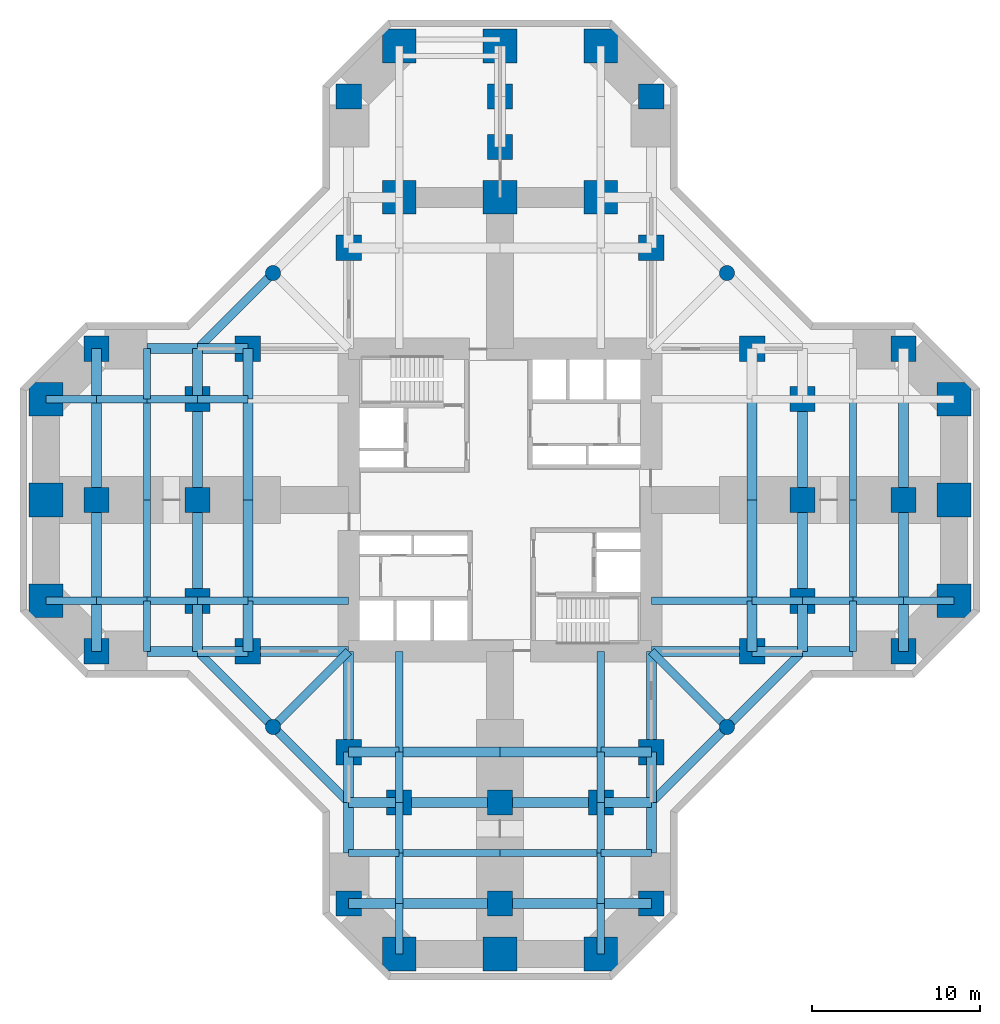
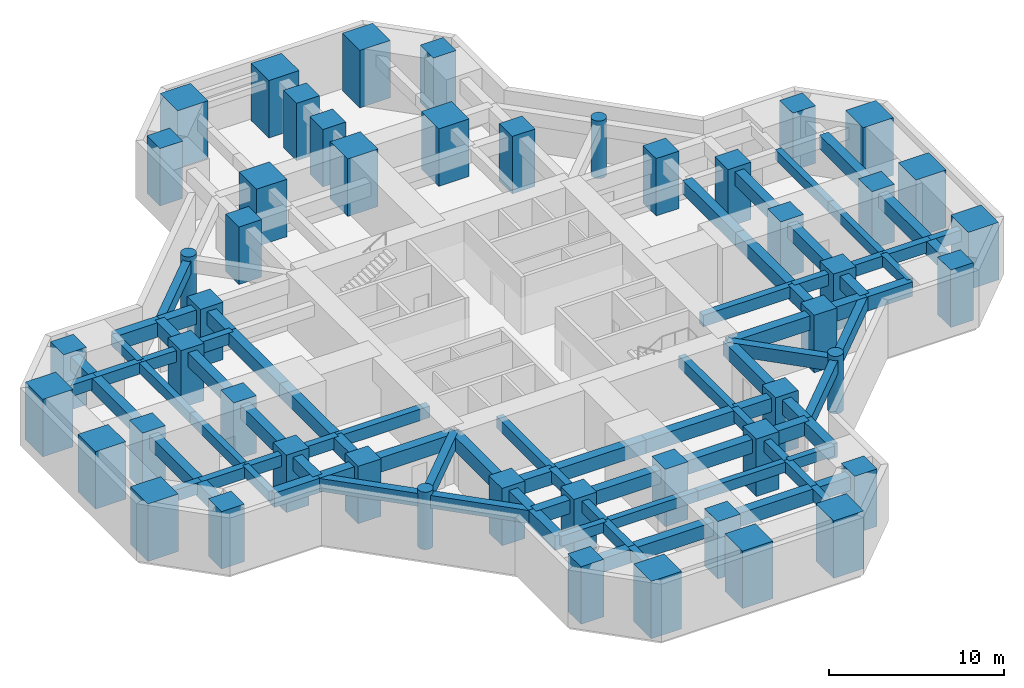
# One storey, part 1 of 6: 89 beams, 49 columns.
"""IFC4 building model written with IfcOpenShell, lengths in metres."""

from ifc_helpers import new_model, si_unit, direction, frame, origin, origin_2d, place, context, subcontext, project, spatial, rectangle, circle, extrude, material, material_profile, profile_set, type_object, element, save


model = new_model("IFC4")

# Units and contexts
model_context = context("Model", 3, precision=1e-05, world=origin(), true_north=direction((0.0, 1.0)))
body_context = subcontext(model_context, "Body", "Model", "MODEL_VIEW")
ifc_project = project(units=[si_unit("LENGTHUNIT", "METRE"), si_unit("AREAUNIT", "SQUARE_METRE"), si_unit("VOLUMEUNIT", "CUBIC_METRE"), si_unit("PLANEANGLEUNIT", "RADIAN"), si_unit("MASSUNIT", "GRAM", prefix="KILO")], contexts=[model_context])

# Site, building, storey
site_placement = place(None, origin())
site = spatial("IfcSite", under=ifc_project, at=site_placement, CompositionType="ELEMENT")
building_placement = place(site_placement, origin())
building = spatial("IfcBuilding", under=site, at=building_placement, Name="Torre Cruceta", CompositionType="ELEMENT")
storey_placement = place(building_placement, frame((0.0, 0.0, -4.0)))
storey = spatial("IfcBuildingStorey", under=building, at=storey_placement, Name="B01", CompositionType="ELEMENT", Elevation=-4.0)

# Columns
ifc_material_1 = material(Name="Concrete G60 (fck 60 MPa)", Category="concrete")
ifc_material_profile_1 = material_profile(ifc_material_1, rectangle(XDim=1.5, YDim=1.5, at=origin_2d()), Name="RC 1500X1500")
ifc_profile_set_1 = profile_set([ifc_material_profile_1], Name="Concrete G60 (fck 60 MPa)")
column_type_1 = type_object("IfcColumnType", Name="COLUMN RC 1500X1500", PredefinedType="COLUMN", material=ifc_profile_set_1)
for number, where, z_axis, x_axis, name in (
    (1, (9.0, 15.0, 0.0), (0.0, 0.0, 1.0), (1.0, 0.0, 0.0), "C0 B01 N side"),
    (2, (9.0, 24.0, 0.0), (0.0, 0.0, 1.0), (1.0, 0.0, 0.0), "C0 B01 N chamfer"),
    (3, (-9.0, 15.0, 0.0), (0.0, 0.0, 1.0), (1.0, 0.0, 0.0), "C0 B01 N side"),
    (4, (-9.0, 24.0, 0.0), (0.0, 0.0, 1.0), (1.0, 0.0, 0.0), "C0 B01 N chamfer"),
    (5, (15.0, -9.0, 0.0), (0.0, 0.0, 1.0), (1.0, 0.0, 0.0), "C0 B01 E side"),
    (6, (24.0, -9.0, 0.0), (0.0, 0.0, 1.0), (1.0, 0.0, 0.0), "C0 B01 E chamfer"),
    (7, (15.0, 9.0, 0.0), (0.0, 0.0, 1.0), (1.0, 0.0, 0.0), "C0 B01 E side"),
    (8, (24.0, 9.0, 0.0), (0.0, 0.0, 1.0), (1.0, 0.0, 0.0), "C0 B01 E chamfer"),
    (9, (-9.0, -15.0, 0.0), (0.0, 0.0, 1.0), (1.0, 0.0, 0.0), "C0 B01 S side"),
    (10, (-9.0, -24.0, 0.0), (0.0, 0.0, 1.0), (1.0, 0.0, 0.0), "C0 B01 S chamfer"),
    (11, (9.0, -15.0, 0.0), (0.0, 0.0, 1.0), (1.0, 0.0, 0.0), "C0 B01 S side"),
    (12, (9.0, -24.0, 0.0), (0.0, 0.0, 1.0), (1.0, 0.0, 0.0), "C0 B01 S chamfer"),
    (13, (-15.0, 9.0, 0.0), (0.0, 0.0, 1.0), (1.0, 0.0, 0.0), "C0 B01 W side"),
    (14, (-24.0, 9.0, 0.0), (0.0, 0.0, 1.0), (1.0, 0.0, 0.0), "C0 B01 W chamfer"),
    (15, (-15.0, -9.0, 0.0), (0.0, 0.0, 1.0), (1.0, 0.0, 0.0), "C0 B01 W side"),
    (16, (-24.0, -9.0, 0.0), (0.0, 0.0, 1.0), (1.0, 0.0, 0.0), "C0 B01 W chamfer"),
    (17, (0.0, 21.0, 0.0), (0.0, 0.0, 1.0), (1.0, 0.0, 0.0), "C0 B01 N interior"),
    (18, (0.0, 24.0, 0.0), (0.0, 0.0, 1.0), (1.0, 0.0, 0.0), "C0 B01 N interior"),
    (19, (18.0, -6.0, 0.0), (0.0, 0.0, 1.0), (1.0, 0.0, 0.0), "C0 B01 E interior"),
    (20, (18.0, 0.0, 0.0), (0.0, 0.0, 1.0), (1.0, 0.0, 0.0), "C0 B01 E interior"),
    (21, (18.0, 6.0, 0.0), (0.0, 0.0, 1.0), (1.0, 0.0, 0.0), "C0 B01 E interior"),
    (22, (24.0, 0.0, 0.0), (0.0, 0.0, 1.0), (1.0, 0.0, 0.0), "C0 B01 E interior"),
    (23, (-6.0, -18.0, 0.0), (0.0, 0.0, 1.0), (1.0, 0.0, 0.0), "C0 B01 S interior"),
    (24, (0.0, -18.0, 0.0), (0.0, 0.0, 1.0), (1.0, 0.0, 0.0), "C0 B01 S interior"),
    (25, (6.0, -18.0, 0.0), (0.0, 0.0, 1.0), (1.0, 0.0, 0.0), "C0 B01 S interior"),
    (26, (0.0, -24.0, 0.0), (0.0, 0.0, 1.0), (1.0, 0.0, 0.0), "C0 B01 S interior"),
    (27, (-18.0, 6.0, 0.0), (0.0, 0.0, 1.0), (1.0, 0.0, 0.0), "C0 B01 W interior"),
    (28, (-18.0, 0.0, 0.0), (0.0, 0.0, 1.0), (1.0, 0.0, 0.0), "C0 B01 W interior"),
    (29, (-18.0, -6.0, 0.0), (0.0, 0.0, 1.0), (1.0, 0.0, 0.0), "C0 B01 W interior"),
    (30, (-24.0, 0.0, 0.0), (0.0, 0.0, 1.0), (1.0, 0.0, 0.0), "C0 B01 W interior"),
):
    element("IfcColumn", number, at=place(storey_placement, frame(where, z_axis=z_axis, x_axis=x_axis)), inside=storey, type_object=column_type_1, Name=name, PredefinedType="COLUMN", context=body_context, shape_type="SweptSolid", body=[
        extrude(rectangle(XDim=1.5, YDim=1.5, at=origin_2d()), origin(), (0.0, 0.0, 1.0), 4.0),
    ])
ifc_material_2 = material(Name="Concrete G60 (fck 60 MPa)", Category="concrete")
ifc_material_profile_2 = material_profile(ifc_material_2, rectangle(XDim=2.0, YDim=2.0, at=origin_2d()), Name="RC 2000X2000")
ifc_profile_set_2 = profile_set([ifc_material_profile_2], Name="Concrete G60 (fck 60 MPa)")
column_type_2 = type_object("IfcColumnType", Name="COLUMN RC 2000X2000", PredefinedType="COLUMN", material=ifc_profile_set_2)
for number, where, z_axis, x_axis, name in (
    (31, (6.0, 27.0, 0.0), (0.0, 0.0, 1.0), (1.0, 0.0, 0.0), "CA B01 N tip"),
    (32, (0.0, 27.0, 0.0), (0.0, 0.0, 1.0), (1.0, 0.0, 0.0), "CA B01 N tip"),
    (33, (-6.0, 27.0, 0.0), (0.0, 0.0, 1.0), (1.0, 0.0, 0.0), "CA B01 N tip"),
    (34, (27.0, -6.0, 0.0), (0.0, 0.0, 1.0), (1.0, 0.0, 0.0), "CA B01 E tip"),
    (35, (27.0, 0.0, 0.0), (0.0, 0.0, 1.0), (1.0, 0.0, 0.0), "CA B01 E tip"),
    (36, (27.0, 6.0, 0.0), (0.0, 0.0, 1.0), (1.0, 0.0, 0.0), "CA B01 E tip"),
    (37, (-6.0, -27.0, 0.0), (0.0, 0.0, 1.0), (1.0, 0.0, 0.0), "CA B01 S tip"),
    (38, (0.0, -27.0, 0.0), (0.0, 0.0, 1.0), (1.0, 0.0, 0.0), "CA B01 S tip"),
    (39, (6.0, -27.0, 0.0), (0.0, 0.0, 1.0), (1.0, 0.0, 0.0), "CA B01 S tip"),
    (40, (-27.0, 6.0, 0.0), (0.0, 0.0, 1.0), (1.0, 0.0, 0.0), "CA B01 W tip"),
    (41, (-27.0, 0.0, 0.0), (0.0, 0.0, 1.0), (1.0, 0.0, 0.0), "CA B01 W tip"),
    (42, (-27.0, -6.0, 0.0), (0.0, 0.0, 1.0), (1.0, 0.0, 0.0), "CA B01 W tip"),
    (43, (6.0, 18.0, 0.0), (0.0, 0.0, 1.0), (1.0, 0.0, 0.0), "CA B01 N interior"),
    (44, (0.0, 18.0, 0.0), (0.0, 0.0, 1.0), (1.0, 0.0, 0.0), "CA B01 N interior"),
    (45, (-6.0, 18.0, 0.0), (0.0, 0.0, 1.0), (1.0, 0.0, 0.0), "CA B01 N interior"),
):
    element("IfcColumn", number, at=place(storey_placement, frame(where, z_axis=z_axis, x_axis=x_axis)), inside=storey, type_object=column_type_2, Name=name, PredefinedType="COLUMN", context=body_context, shape_type="SweptSolid", body=[
        extrude(rectangle(XDim=2.0, YDim=2.0, at=origin_2d()), origin(), (0.0, 0.0, 1.0), 4.0),
    ])
ifc_material_3 = material(Name="Concrete G60 (fck 60 MPa)", Category="concrete")
ifc_material_profile_3 = material_profile(ifc_material_3, circle(Radius=0.449951171875, at=origin_2d()), Name="RC D900")
ifc_profile_set_3 = profile_set([ifc_material_profile_3], Name="Concrete G60 (fck 60 MPa)")
column_type_3 = type_object("IfcColumnType", Name="COLUMN RC D900", PredefinedType="COLUMN", material=ifc_profile_set_3)
for number, where, z_axis, x_axis, name in (
    (46, (-13.5, 13.5, 0.0), (0.0, 0.0, 1.0), (1.0, 0.0, 0.0), "C9 B01 N wing"),
    (47, (13.5, 13.5, 0.0), (0.0, 0.0, 1.0), (1.0, 0.0, 0.0), "C9 B01 E wing"),
    (48, (13.5, -13.5, 0.0), (0.0, 0.0, 1.0), (1.0, 0.0, 0.0), "C9 B01 S wing"),
    (49, (-13.5, -13.5, 0.0), (0.0, 0.0, 1.0), (1.0, 0.0, 0.0), "C9 B01 W wing"),
):
    element("IfcColumn", number, at=place(storey_placement, frame(where, z_axis=z_axis, x_axis=x_axis)), inside=storey, type_object=column_type_3, Name=name, PredefinedType="COLUMN", context=body_context, shape_type="SweptSolid", body=[
        extrude(circle(Radius=0.449951171875, at=origin_2d()), origin(), (0.0, 0.0, 1.0), 4.0),
    ])

# Beams
ifc_material_4 = material(Name="Concrete G60 (fck 60 MPa)", Category="concrete")
ifc_material_profile_4 = material_profile(ifc_material_4, rectangle(XDim=0.449951171875, YDim=0.800048828125, at=origin_2d()), Name="RC 450X800")
ifc_profile_set_4 = profile_set([ifc_material_profile_4], Name="Concrete G60 (fck 60 MPa)")
beam_type_1 = type_object("IfcBeamType", Name="COLUMN LINE BEAM RC 450X800", PredefinedType="BEAM", material=ifc_profile_set_4)
beam_1_placement = place(storey_placement, frame((9.0, -6.0, 3.300048828125), z_axis=(1.0, 0.0, 0.0), x_axis=(0.0, 1.0, 0.0)))
element("IfcBeam", 50, at=beam_1_placement, inside=storey, type_object=beam_type_1, Name="LB1 B01 E col- 1", PredefinedType="BEAM", context=body_context, shape_type="SweptSolid", body=[
    extrude(rectangle(XDim=0.449951171875, YDim=0.800048828125, at=origin_2d()), origin(), (0.0, 0.0, 1.0), 6.0),
])
for number, where, z_axis, x_axis, name in (
    (51, (15.0, -6.0, 3.300048828125), (1.0, 0.0, 0.0), (0.0, 1.0, 0.0), "LB1 B01 E col- 2"),
    (52, (18.0, -6.0, 3.300048828125), (1.0, 0.0, 0.0), (0.0, 1.0, 0.0), "LB1 B01 E col- 3"),
    (53, (21.0, -6.0, 3.300048828125), (1.0, 0.0, 0.0), (0.0, 1.0, 0.0), "LB1 B01 E col- 4"),
    (54, (24.0, -6.0, 3.300048828125), (1.0, 0.0, 0.0), (0.0, 1.0, 0.0), "LB1 B01 E col- 5"),
):
    element("IfcBeam", number, at=place(storey_placement, frame(where, z_axis=z_axis, x_axis=x_axis)), inside=storey, type_object=beam_type_1, Name=name, PredefinedType="BEAM", context=body_context, shape_type="SweptSolid", body=[
        extrude(rectangle(XDim=0.449951171875, YDim=0.800048828125, at=origin_2d()), origin(), (0.0, 0.0, 1.0), 3.0),
    ])
beam_2_placement = place(storey_placement, frame((-6.0, -9.0, 3.300048828125), z_axis=(0.0, -1.0, 0.0), x_axis=(1.0, 0.0, 0.0)))
element("IfcBeam", 55, at=beam_2_placement, inside=storey, type_object=beam_type_1, Name="LB1 B01 S col- 1", PredefinedType="BEAM", context=body_context, shape_type="SweptSolid", body=[
    extrude(rectangle(XDim=0.449951171875, YDim=0.800048828125, at=origin_2d()), origin(), (0.0, 0.0, 1.0), 6.0),
])
for number, where, z_axis, x_axis, name in (
    (56, (-6.0, -15.0, 3.300048828125), (0.0, -1.0, 0.0), (1.0, 0.0, 0.0), "LB1 B01 S col- 2"),
    (57, (-6.0, -18.0, 3.300048828125), (0.0, -1.0, 0.0), (1.0, 0.0, 0.0), "LB1 B01 S col- 3"),
    (58, (-6.0, -21.0, 3.300048828125), (0.0, -1.0, 0.0), (1.0, 0.0, 0.0), "LB1 B01 S col- 4"),
    (59, (-6.0, -24.0, 3.300048828125), (0.0, -1.0, 0.0), (1.0, 0.0, 0.0), "LB1 B01 S col- 5"),
):
    element("IfcBeam", number, at=place(storey_placement, frame(where, z_axis=z_axis, x_axis=x_axis)), inside=storey, type_object=beam_type_1, Name=name, PredefinedType="BEAM", context=body_context, shape_type="SweptSolid", body=[
        extrude(rectangle(XDim=0.449951171875, YDim=0.800048828125, at=origin_2d()), origin(), (0.0, 0.0, 1.0), 3.0),
    ])
beam_3_placement = place(storey_placement, frame((6.0, -9.0, 3.300048828125), z_axis=(0.0, -1.0, 0.0), x_axis=(1.0, 0.0, 0.0)))
element("IfcBeam", 60, at=beam_3_placement, inside=storey, type_object=beam_type_1, Name="LB1 B01 S col+ 1", PredefinedType="BEAM", context=body_context, shape_type="SweptSolid", body=[
    extrude(rectangle(XDim=0.449951171875, YDim=0.800048828125, at=origin_2d()), origin(), (0.0, 0.0, 1.0), 6.0),
])
for number, where, z_axis, x_axis, name in (
    (61, (6.0, -15.0, 3.300048828125), (0.0, -1.0, 0.0), (1.0, 0.0, 0.0), "LB1 B01 S col+ 2"),
    (62, (6.0, -18.0, 3.300048828125), (0.0, -1.0, 0.0), (1.0, 0.0, 0.0), "LB1 B01 S col+ 3"),
    (63, (6.0, -21.0, 3.300048828125), (0.0, -1.0, 0.0), (1.0, 0.0, 0.0), "LB1 B01 S col+ 4"),
    (64, (6.0, -24.0, 3.300048828125), (0.0, -1.0, 0.0), (1.0, 0.0, 0.0), "LB1 B01 S col+ 5"),
    (65, (-15.0, 6.0, 3.300048828125), (-1.0, 0.0, 0.0), (0.0, -1.0, 0.0), "LB1 B01 W col- 2"),
    (66, (-18.0, 6.0, 3.300048828125), (-1.0, 0.0, 0.0), (0.0, -1.0, 0.0), "LB1 B01 W col- 3"),
    (67, (-21.0, 6.0, 3.300048828125), (-1.0, 0.0, 0.0), (0.0, -1.0, 0.0), "LB1 B01 W col- 4"),
    (68, (-24.0, 6.0, 3.300048828125), (-1.0, 0.0, 0.0), (0.0, -1.0, 0.0), "LB1 B01 W col- 5"),
):
    element("IfcBeam", number, at=place(storey_placement, frame(where, z_axis=z_axis, x_axis=x_axis)), inside=storey, type_object=beam_type_1, Name=name, PredefinedType="BEAM", context=body_context, shape_type="SweptSolid", body=[
        extrude(rectangle(XDim=0.449951171875, YDim=0.800048828125, at=origin_2d()), origin(), (0.0, 0.0, 1.0), 3.0),
    ])
beam_4_placement = place(storey_placement, frame((-9.0, -6.0, 3.300048828125), z_axis=(-1.0, 0.0, 0.0), x_axis=(0.0, -1.0, 0.0)))
element("IfcBeam", 69, at=beam_4_placement, inside=storey, type_object=beam_type_1, Name="LB1 B01 W col+ 1", PredefinedType="BEAM", context=body_context, shape_type="SweptSolid", body=[
    extrude(rectangle(XDim=0.449951171875, YDim=0.800048828125, at=origin_2d()), origin(), (0.0, 0.0, 1.0), 6.0),
])
for number, where, z_axis, x_axis, name in (
    (70, (-15.0, -6.0, 3.300048828125), (-1.0, 0.0, 0.0), (0.0, -1.0, 0.0), "LB1 B01 W col+ 2"),
    (71, (-18.0, -6.0, 3.300048828125), (-1.0, 0.0, 0.0), (0.0, -1.0, 0.0), "LB1 B01 W col+ 3"),
    (72, (-21.0, -6.0, 3.300048828125), (-1.0, 0.0, 0.0), (0.0, -1.0, 0.0), "LB1 B01 W col+ 4"),
    (73, (-24.0, -6.0, 3.300048828125), (-1.0, 0.0, 0.0), (0.0, -1.0, 0.0), "LB1 B01 W col+ 5"),
):
    element("IfcBeam", number, at=place(storey_placement, frame(where, z_axis=z_axis, x_axis=x_axis)), inside=storey, type_object=beam_type_1, Name=name, PredefinedType="BEAM", context=body_context, shape_type="SweptSolid", body=[
        extrude(rectangle(XDim=0.449951171875, YDim=0.800048828125, at=origin_2d()), origin(), (0.0, 0.0, 1.0), 3.0),
    ])
ifc_material_5 = material(Name="Concrete G60 (fck 60 MPa)", Category="concrete")
ifc_material_profile_5 = material_profile(ifc_material_5, rectangle(XDim=0.60009765625, YDim=0.949951171875, at=origin_2d()), Name="RC 600X950")
ifc_profile_set_5 = profile_set([ifc_material_profile_5], Name="Concrete G60 (fck 60 MPa)")
beam_type_2 = type_object("IfcBeamType", Name="CROSS BEAM RC 600X950", PredefinedType="BEAM", material=ifc_profile_set_5)
beam_5_placement = place(storey_placement, frame((15.0, -9.0, 3.22509765625), z_axis=(0.0, 1.0, 0.0), x_axis=(-1.0, 0.0, 0.0)))
element("IfcBeam", 74, at=beam_5_placement, inside=storey, type_object=beam_type_2, Name="GB1 B01 E cross15 1", PredefinedType="BEAM", context=body_context, shape_type="SweptSolid", body=[
    extrude(rectangle(XDim=0.60009765625, YDim=0.949951171875, at=origin_2d()), origin(), (0.0, 0.0, 1.0), 3.0),
])
for number, where, z_axis, x_axis, name in (
    (75, (15.0, -6.0, 3.22509765625), (0.0, 1.0, 0.0), (-1.0, 0.0, 0.0), "GB1 B01 E cross15 2"),
    (76, (15.0, 0.0, 3.22509765625), (0.0, 1.0, 0.0), (-1.0, 0.0, 0.0), "GB1 B01 E cross15 3"),
):
    element("IfcBeam", number, at=place(storey_placement, frame(where, z_axis=z_axis, x_axis=x_axis)), inside=storey, type_object=beam_type_2, Name=name, PredefinedType="BEAM", context=body_context, shape_type="SweptSolid", body=[
        extrude(rectangle(XDim=0.60009765625, YDim=0.949951171875, at=origin_2d()), origin(), (0.0, 0.0, 1.0), 6.0),
    ])
beam_6_placement = place(storey_placement, frame((18.0, -9.0, 3.22509765625), z_axis=(0.0, 1.0, 0.0), x_axis=(-1.0, 0.0, 0.0)))
element("IfcBeam", 77, at=beam_6_placement, inside=storey, type_object=beam_type_2, Name="GB1 B01 E cross18 1", PredefinedType="BEAM", context=body_context, shape_type="SweptSolid", body=[
    extrude(rectangle(XDim=0.60009765625, YDim=0.949951171875, at=origin_2d()), origin(), (0.0, 0.0, 1.0), 3.0),
])
for number, where, z_axis, x_axis, name in (
    (78, (18.0, -6.0, 3.22509765625), (0.0, 1.0, 0.0), (-1.0, 0.0, 0.0), "GB1 B01 E cross18 2"),
    (79, (18.0, 0.0, 3.22509765625), (0.0, 1.0, 0.0), (-1.0, 0.0, 0.0), "GB1 B01 E cross18 3"),
):
    element("IfcBeam", number, at=place(storey_placement, frame(where, z_axis=z_axis, x_axis=x_axis)), inside=storey, type_object=beam_type_2, Name=name, PredefinedType="BEAM", context=body_context, shape_type="SweptSolid", body=[
        extrude(rectangle(XDim=0.60009765625, YDim=0.949951171875, at=origin_2d()), origin(), (0.0, 0.0, 1.0), 6.0),
    ])
beam_7_placement = place(storey_placement, frame((24.0, -9.0, 3.22509765625), z_axis=(0.0, 1.0, 0.0), x_axis=(-1.0, 0.0, 0.0)))
element("IfcBeam", 80, at=beam_7_placement, inside=storey, type_object=beam_type_2, Name="GB1 B01 E cross24 1", PredefinedType="BEAM", context=body_context, shape_type="SweptSolid", body=[
    extrude(rectangle(XDim=0.60009765625, YDim=0.949951171875, at=origin_2d()), origin(), (0.0, 0.0, 1.0), 3.0),
])
for number, where, z_axis, x_axis, name in (
    (81, (24.0, -6.0, 3.22509765625), (0.0, 1.0, 0.0), (-1.0, 0.0, 0.0), "GB1 B01 E cross24 2"),
    (82, (24.0, 0.0, 3.22509765625), (0.0, 1.0, 0.0), (-1.0, 0.0, 0.0), "GB1 B01 E cross24 3"),
):
    element("IfcBeam", number, at=place(storey_placement, frame(where, z_axis=z_axis, x_axis=x_axis)), inside=storey, type_object=beam_type_2, Name=name, PredefinedType="BEAM", context=body_context, shape_type="SweptSolid", body=[
        extrude(rectangle(XDim=0.60009765625, YDim=0.949951171875, at=origin_2d()), origin(), (0.0, 0.0, 1.0), 6.0),
    ])
beam_8_placement = place(storey_placement, frame((-9.0, -15.0, 3.22509765625), z_axis=(1.0, 0.0, 0.0), x_axis=(0.0, 1.0, 0.0)))
element("IfcBeam", 83, at=beam_8_placement, inside=storey, type_object=beam_type_2, Name="GB1 B01 S cross15 1", PredefinedType="BEAM", context=body_context, shape_type="SweptSolid", body=[
    extrude(rectangle(XDim=0.60009765625, YDim=0.949951171875, at=origin_2d()), origin(), (0.0, 0.0, 1.0), 3.0),
])
for number, where, z_axis, x_axis, name in (
    (84, (-6.0, -15.0, 3.22509765625), (1.0, 0.0, 0.0), (0.0, 1.0, 0.0), "GB1 B01 S cross15 2"),
    (85, (0.0, -15.0, 3.22509765625), (1.0, 0.0, 0.0), (0.0, 1.0, 0.0), "GB1 B01 S cross15 3"),
):
    element("IfcBeam", number, at=place(storey_placement, frame(where, z_axis=z_axis, x_axis=x_axis)), inside=storey, type_object=beam_type_2, Name=name, PredefinedType="BEAM", context=body_context, shape_type="SweptSolid", body=[
        extrude(rectangle(XDim=0.60009765625, YDim=0.949951171875, at=origin_2d()), origin(), (0.0, 0.0, 1.0), 6.0),
    ])
for number, where, z_axis, x_axis, name in (
    (86, (6.0, -15.0, 3.22509765625), (1.0, 0.0, 0.0), (0.0, 1.0, 0.0), "GB1 B01 S cross15 4"),
    (87, (-9.0, -18.0, 3.22509765625), (1.0, 0.0, 0.0), (0.0, 1.0, 0.0), "GB1 B01 S cross18 1"),
):
    element("IfcBeam", number, at=place(storey_placement, frame(where, z_axis=z_axis, x_axis=x_axis)), inside=storey, type_object=beam_type_2, Name=name, PredefinedType="BEAM", context=body_context, shape_type="SweptSolid", body=[
        extrude(rectangle(XDim=0.60009765625, YDim=0.949951171875, at=origin_2d()), origin(), (0.0, 0.0, 1.0), 3.0),
    ])
for number, where, z_axis, x_axis, name in (
    (88, (-6.0, -18.0, 3.22509765625), (1.0, 0.0, 0.0), (0.0, 1.0, 0.0), "GB1 B01 S cross18 2"),
    (89, (0.0, -18.0, 3.22509765625), (1.0, 0.0, 0.0), (0.0, 1.0, 0.0), "GB1 B01 S cross18 3"),
):
    element("IfcBeam", number, at=place(storey_placement, frame(where, z_axis=z_axis, x_axis=x_axis)), inside=storey, type_object=beam_type_2, Name=name, PredefinedType="BEAM", context=body_context, shape_type="SweptSolid", body=[
        extrude(rectangle(XDim=0.60009765625, YDim=0.949951171875, at=origin_2d()), origin(), (0.0, 0.0, 1.0), 6.0),
    ])
for number, where, z_axis, x_axis, name in (
    (90, (6.0, -18.0, 3.22509765625), (1.0, 0.0, 0.0), (0.0, 1.0, 0.0), "GB1 B01 S cross18 4"),
    (91, (-9.0, -24.0, 3.22509765625), (1.0, 0.0, 0.0), (0.0, 1.0, 0.0), "GB1 B01 S cross24 1"),
):
    element("IfcBeam", number, at=place(storey_placement, frame(where, z_axis=z_axis, x_axis=x_axis)), inside=storey, type_object=beam_type_2, Name=name, PredefinedType="BEAM", context=body_context, shape_type="SweptSolid", body=[
        extrude(rectangle(XDim=0.60009765625, YDim=0.949951171875, at=origin_2d()), origin(), (0.0, 0.0, 1.0), 3.0),
    ])
for number, where, z_axis, x_axis, name in (
    (92, (-6.0, -24.0, 3.22509765625), (1.0, 0.0, 0.0), (0.0, 1.0, 0.0), "GB1 B01 S cross24 2"),
    (93, (0.0, -24.0, 3.22509765625), (1.0, 0.0, 0.0), (0.0, 1.0, 0.0), "GB1 B01 S cross24 3"),
):
    element("IfcBeam", number, at=place(storey_placement, frame(where, z_axis=z_axis, x_axis=x_axis)), inside=storey, type_object=beam_type_2, Name=name, PredefinedType="BEAM", context=body_context, shape_type="SweptSolid", body=[
        extrude(rectangle(XDim=0.60009765625, YDim=0.949951171875, at=origin_2d()), origin(), (0.0, 0.0, 1.0), 6.0),
    ])
for number, where, z_axis, x_axis, name in (
    (94, (6.0, -24.0, 3.22509765625), (1.0, 0.0, 0.0), (0.0, 1.0, 0.0), "GB1 B01 S cross24 4"),
    (95, (-15.0, 9.0, 3.22509765625), (0.0, -1.0, 0.0), (1.0, 0.0, 0.0), "GB1 B01 W cross15 1"),
):
    element("IfcBeam", number, at=place(storey_placement, frame(where, z_axis=z_axis, x_axis=x_axis)), inside=storey, type_object=beam_type_2, Name=name, PredefinedType="BEAM", context=body_context, shape_type="SweptSolid", body=[
        extrude(rectangle(XDim=0.60009765625, YDim=0.949951171875, at=origin_2d()), origin(), (0.0, 0.0, 1.0), 3.0),
    ])
for number, where, z_axis, x_axis, name in (
    (96, (-15.0, 6.0, 3.22509765625), (0.0, -1.0, 0.0), (1.0, 0.0, 0.0), "GB1 B01 W cross15 2"),
    (97, (-15.0, 0.0, 3.22509765625), (0.0, -1.0, 0.0), (1.0, 0.0, 0.0), "GB1 B01 W cross15 3"),
):
    element("IfcBeam", number, at=place(storey_placement, frame(where, z_axis=z_axis, x_axis=x_axis)), inside=storey, type_object=beam_type_2, Name=name, PredefinedType="BEAM", context=body_context, shape_type="SweptSolid", body=[
        extrude(rectangle(XDim=0.60009765625, YDim=0.949951171875, at=origin_2d()), origin(), (0.0, 0.0, 1.0), 6.0),
    ])
for number, where, z_axis, x_axis, name in (
    (98, (-15.0, -6.0, 3.22509765625), (0.0, -1.0, 0.0), (1.0, 0.0, 0.0), "GB1 B01 W cross15 4"),
    (99, (-18.0, 9.0, 3.22509765625), (0.0, -1.0, 0.0), (1.0, 0.0, 0.0), "GB1 B01 W cross18 1"),
):
    element("IfcBeam", number, at=place(storey_placement, frame(where, z_axis=z_axis, x_axis=x_axis)), inside=storey, type_object=beam_type_2, Name=name, PredefinedType="BEAM", context=body_context, shape_type="SweptSolid", body=[
        extrude(rectangle(XDim=0.60009765625, YDim=0.949951171875, at=origin_2d()), origin(), (0.0, 0.0, 1.0), 3.0),
    ])
for number, where, z_axis, x_axis, name in (
    (100, (-18.0, 6.0, 3.22509765625), (0.0, -1.0, 0.0), (1.0, 0.0, 0.0), "GB1 B01 W cross18 2"),
    (101, (-18.0, 0.0, 3.22509765625), (0.0, -1.0, 0.0), (1.0, 0.0, 0.0), "GB1 B01 W cross18 3"),
):
    element("IfcBeam", number, at=place(storey_placement, frame(where, z_axis=z_axis, x_axis=x_axis)), inside=storey, type_object=beam_type_2, Name=name, PredefinedType="BEAM", context=body_context, shape_type="SweptSolid", body=[
        extrude(rectangle(XDim=0.60009765625, YDim=0.949951171875, at=origin_2d()), origin(), (0.0, 0.0, 1.0), 6.0),
    ])
for number, where, z_axis, x_axis, name in (
    (102, (-18.0, -6.0, 3.22509765625), (0.0, -1.0, 0.0), (1.0, 0.0, 0.0), "GB1 B01 W cross18 4"),
    (103, (-24.0, 9.0, 3.22509765625), (0.0, -1.0, 0.0), (1.0, 0.0, 0.0), "GB1 B01 W cross24 1"),
):
    element("IfcBeam", number, at=place(storey_placement, frame(where, z_axis=z_axis, x_axis=x_axis)), inside=storey, type_object=beam_type_2, Name=name, PredefinedType="BEAM", context=body_context, shape_type="SweptSolid", body=[
        extrude(rectangle(XDim=0.60009765625, YDim=0.949951171875, at=origin_2d()), origin(), (0.0, 0.0, 1.0), 3.0),
    ])
for number, where, z_axis, x_axis, name in (
    (104, (-24.0, 6.0, 3.22509765625), (0.0, -1.0, 0.0), (1.0, 0.0, 0.0), "GB1 B01 W cross24 2"),
    (105, (-24.0, 0.0, 3.22509765625), (0.0, -1.0, 0.0), (1.0, 0.0, 0.0), "GB1 B01 W cross24 3"),
):
    element("IfcBeam", number, at=place(storey_placement, frame(where, z_axis=z_axis, x_axis=x_axis)), inside=storey, type_object=beam_type_2, Name=name, PredefinedType="BEAM", context=body_context, shape_type="SweptSolid", body=[
        extrude(rectangle(XDim=0.60009765625, YDim=0.949951171875, at=origin_2d()), origin(), (0.0, 0.0, 1.0), 6.0),
    ])
beam_9_placement = place(storey_placement, frame((-24.0, -6.0, 3.22509765625), z_axis=(0.0, -1.0, 0.0), x_axis=(1.0, 0.0, 0.0)))
element("IfcBeam", 106, at=beam_9_placement, inside=storey, type_object=beam_type_2, Name="GB1 B01 W cross24 4", PredefinedType="BEAM", context=body_context, shape_type="SweptSolid", body=[
    extrude(rectangle(XDim=0.60009765625, YDim=0.949951171875, at=origin_2d()), origin(), (0.0, 0.0, 1.0), 3.0),
])
ifc_material_6 = material(Name="Concrete G60 (fck 60 MPa)", Category="concrete")
ifc_material_profile_6 = material_profile(ifc_material_6, rectangle(XDim=0.39990234375, YDim=0.699951171875, at=origin_2d()), Name="RC 400X700")
ifc_profile_set_6 = profile_set([ifc_material_profile_6], Name="Concrete G60 (fck 60 MPa)")
beam_type_3 = type_object("IfcBeamType", Name="SECONDARY BEAM RC 400X700", PredefinedType="JOIST", material=ifc_profile_set_6)
beam_10_placement = place(storey_placement, frame((21.0, -9.0, 3.35009765625), z_axis=(0.0, 1.0, 0.0), x_axis=(-1.0, 0.0, 0.0)))
element("IfcBeam", 107, at=beam_10_placement, inside=storey, type_object=beam_type_3, Name="JB1 B01 E sec21 1", PredefinedType="JOIST", context=body_context, shape_type="SweptSolid", body=[
    extrude(rectangle(XDim=0.39990234375, YDim=0.699951171875, at=origin_2d()), origin(), (0.0, 0.0, 1.0), 3.0),
])
for number, where, z_axis, x_axis, name in (
    (108, (21.0, -6.0, 3.35009765625), (0.0, 1.0, 0.0), (-1.0, 0.0, 0.0), "JB1 B01 E sec21 2"),
    (109, (21.0, 0.0, 3.35009765625), (0.0, 1.0, 0.0), (-1.0, 0.0, 0.0), "JB1 B01 E sec21 3"),
):
    element("IfcBeam", number, at=place(storey_placement, frame(where, z_axis=z_axis, x_axis=x_axis)), inside=storey, type_object=beam_type_3, Name=name, PredefinedType="JOIST", context=body_context, shape_type="SweptSolid", body=[
        extrude(rectangle(XDim=0.39990234375, YDim=0.699951171875, at=origin_2d()), origin(), (0.0, 0.0, 1.0), 6.0),
    ])
beam_11_placement = place(storey_placement, frame((-9.0, -21.0, 3.35009765625), z_axis=(1.0, 0.0, 0.0), x_axis=(0.0, 1.0, 0.0)))
element("IfcBeam", 110, at=beam_11_placement, inside=storey, type_object=beam_type_3, Name="JB1 B01 S sec21 1", PredefinedType="JOIST", context=body_context, shape_type="SweptSolid", body=[
    extrude(rectangle(XDim=0.39990234375, YDim=0.699951171875, at=origin_2d()), origin(), (0.0, 0.0, 1.0), 3.0),
])
for number, where, z_axis, x_axis, name in (
    (111, (-6.0, -21.0, 3.35009765625), (1.0, 0.0, 0.0), (0.0, 1.0, 0.0), "JB1 B01 S sec21 2"),
    (112, (0.0, -21.0, 3.35009765625), (1.0, 0.0, 0.0), (0.0, 1.0, 0.0), "JB1 B01 S sec21 3"),
):
    element("IfcBeam", number, at=place(storey_placement, frame(where, z_axis=z_axis, x_axis=x_axis)), inside=storey, type_object=beam_type_3, Name=name, PredefinedType="JOIST", context=body_context, shape_type="SweptSolid", body=[
        extrude(rectangle(XDim=0.39990234375, YDim=0.699951171875, at=origin_2d()), origin(), (0.0, 0.0, 1.0), 6.0),
    ])
for number, where, z_axis, x_axis, name in (
    (113, (6.0, -21.0, 3.35009765625), (1.0, 0.0, 0.0), (0.0, 1.0, 0.0), "JB1 B01 S sec21 4"),
    (114, (-21.0, 9.0, 3.35009765625), (0.0, -1.0, 0.0), (1.0, 0.0, 0.0), "JB1 B01 W sec21 1"),
):
    element("IfcBeam", number, at=place(storey_placement, frame(where, z_axis=z_axis, x_axis=x_axis)), inside=storey, type_object=beam_type_3, Name=name, PredefinedType="JOIST", context=body_context, shape_type="SweptSolid", body=[
        extrude(rectangle(XDim=0.39990234375, YDim=0.699951171875, at=origin_2d()), origin(), (0.0, 0.0, 1.0), 3.0),
    ])
for number, where, z_axis, x_axis, name in (
    (115, (-21.0, 6.0, 3.35009765625), (0.0, -1.0, 0.0), (1.0, 0.0, 0.0), "JB1 B01 W sec21 2"),
    (116, (-21.0, 0.0, 3.35009765625), (0.0, -1.0, 0.0), (1.0, 0.0, 0.0), "JB1 B01 W sec21 3"),
):
    element("IfcBeam", number, at=place(storey_placement, frame(where, z_axis=z_axis, x_axis=x_axis)), inside=storey, type_object=beam_type_3, Name=name, PredefinedType="JOIST", context=body_context, shape_type="SweptSolid", body=[
        extrude(rectangle(XDim=0.39990234375, YDim=0.699951171875, at=origin_2d()), origin(), (0.0, 0.0, 1.0), 6.0),
    ])
beam_12_placement = place(storey_placement, frame((-21.0, -6.0, 3.35009765625), z_axis=(0.0, -1.0, 0.0), x_axis=(1.0, 0.0, 0.0)))
element("IfcBeam", 117, at=beam_12_placement, inside=storey, type_object=beam_type_3, Name="JB1 B01 W sec21 4", PredefinedType="JOIST", context=body_context, shape_type="SweptSolid", body=[
    extrude(rectangle(XDim=0.39990234375, YDim=0.699951171875, at=origin_2d()), origin(), (0.0, 0.0, 1.0), 3.0),
])
ifc_material_7 = material(Name="Concrete G60 (fck 60 MPa)", Category="concrete")
ifc_material_profile_7 = material_profile(ifc_material_7, rectangle(XDim=0.60009765625, YDim=1.0, at=origin_2d()), Name="RC 600X1000")
ifc_profile_set_7 = profile_set([ifc_material_profile_7], Name="Concrete G60 (fck 60 MPa)")
beam_type_4 = type_object("IfcBeamType", Name="SPANDREL BEAM RC 600X1000", PredefinedType="SPANDREL", material=ifc_profile_set_7)
beam_13_placement = place(storey_placement, frame((9.0, -9.0, 3.199951171875), z_axis=(1.0, 0.0, 0.0), x_axis=(0.0, 1.0, 0.0)))
element("IfcBeam", 118, at=beam_13_placement, inside=storey, type_object=beam_type_4, Name="SB1 B01 E side- 1", PredefinedType="SPANDREL", context=body_context, shape_type="SweptSolid", body=[
    extrude(rectangle(XDim=0.60009765625, YDim=1.0, at=origin_2d()), origin(), (0.0, 0.0, 1.0), 6.0),
])
for number, where, z_axis, x_axis, name in (
    (119, (15.0, -9.0, 3.199951171875), (1.0, 0.0, 0.0), (0.0, 1.0, 0.0), "SB1 B01 E side- 2"),
    (120, (18.0, -9.0, 3.199951171875), (1.0, 0.0, 0.0), (0.0, 1.0, 0.0), "SB1 B01 E side- 3"),
):
    element("IfcBeam", number, at=place(storey_placement, frame(where, z_axis=z_axis, x_axis=x_axis)), inside=storey, type_object=beam_type_4, Name=name, PredefinedType="SPANDREL", context=body_context, shape_type="SweptSolid", body=[
        extrude(rectangle(XDim=0.60009765625, YDim=1.0, at=origin_2d()), origin(), (0.0, 0.0, 1.0), 3.0),
    ])
beam_14_placement = place(storey_placement, frame((-9.0, -9.0, 3.199951171875), z_axis=(0.0, -1.0, 0.0), x_axis=(1.0, 0.0, 0.0)))
element("IfcBeam", 121, at=beam_14_placement, inside=storey, type_object=beam_type_4, Name="SB1 B01 S side- 1", PredefinedType="SPANDREL", context=body_context, shape_type="SweptSolid", body=[
    extrude(rectangle(XDim=0.60009765625, YDim=1.0, at=origin_2d()), origin(), (0.0, 0.0, 1.0), 6.0),
])
for number, where, z_axis, x_axis, name in (
    (122, (-9.0, -15.0, 3.199951171875), (0.0, -1.0, 0.0), (1.0, 0.0, 0.0), "SB1 B01 S side- 2"),
    (123, (-9.0, -18.0, 3.199951171875), (0.0, -1.0, 0.0), (1.0, 0.0, 0.0), "SB1 B01 S side- 3"),
):
    element("IfcBeam", number, at=place(storey_placement, frame(where, z_axis=z_axis, x_axis=x_axis)), inside=storey, type_object=beam_type_4, Name=name, PredefinedType="SPANDREL", context=body_context, shape_type="SweptSolid", body=[
        extrude(rectangle(XDim=0.60009765625, YDim=1.0, at=origin_2d()), origin(), (0.0, 0.0, 1.0), 3.0),
    ])
beam_15_placement = place(storey_placement, frame((9.0, -9.0, 3.199951171875), z_axis=(0.0, -1.0, 0.0), x_axis=(1.0, 0.0, 0.0)))
element("IfcBeam", 124, at=beam_15_placement, inside=storey, type_object=beam_type_4, Name="SB1 B01 S side+ 1", PredefinedType="SPANDREL", context=body_context, shape_type="SweptSolid", body=[
    extrude(rectangle(XDim=0.60009765625, YDim=1.0, at=origin_2d()), origin(), (0.0, 0.0, 1.0), 6.0),
])
for number, where, z_axis, x_axis, name in (
    (125, (9.0, -15.0, 3.199951171875), (0.0, -1.0, 0.0), (1.0, 0.0, 0.0), "SB1 B01 S side+ 2"),
    (126, (9.0, -18.0, 3.199951171875), (0.0, -1.0, 0.0), (1.0, 0.0, 0.0), "SB1 B01 S side+ 3"),
    (127, (-15.0, 9.0, 3.199951171875), (-1.0, 0.0, 0.0), (0.0, -1.0, 0.0), "SB1 B01 W side- 2"),
    (128, (-18.0, 9.0, 3.199951171875), (-1.0, 0.0, 0.0), (0.0, -1.0, 0.0), "SB1 B01 W side- 3"),
):
    element("IfcBeam", number, at=place(storey_placement, frame(where, z_axis=z_axis, x_axis=x_axis)), inside=storey, type_object=beam_type_4, Name=name, PredefinedType="SPANDREL", context=body_context, shape_type="SweptSolid", body=[
        extrude(rectangle(XDim=0.60009765625, YDim=1.0, at=origin_2d()), origin(), (0.0, 0.0, 1.0), 3.0),
    ])
beam_16_placement = place(storey_placement, frame((-9.0, -9.0, 3.199951171875), z_axis=(-1.0, 0.0, 0.0), x_axis=(0.0, -1.0, 0.0)))
element("IfcBeam", 129, at=beam_16_placement, inside=storey, type_object=beam_type_4, Name="SB1 B01 W side+ 1", PredefinedType="SPANDREL", context=body_context, shape_type="SweptSolid", body=[
    extrude(rectangle(XDim=0.60009765625, YDim=1.0, at=origin_2d()), origin(), (0.0, 0.0, 1.0), 6.0),
])
for number, where, z_axis, x_axis, name in (
    (130, (-15.0, -9.0, 3.199951171875), (-1.0, 0.0, 0.0), (0.0, -1.0, 0.0), "SB1 B01 W side+ 2"),
    (131, (-18.0, -9.0, 3.199951171875), (-1.0, 0.0, 0.0), (0.0, -1.0, 0.0), "SB1 B01 W side+ 3"),
):
    element("IfcBeam", number, at=place(storey_placement, frame(where, z_axis=z_axis, x_axis=x_axis)), inside=storey, type_object=beam_type_4, Name=name, PredefinedType="SPANDREL", context=body_context, shape_type="SweptSolid", body=[
        extrude(rectangle(XDim=0.60009765625, YDim=1.0, at=origin_2d()), origin(), (0.0, 0.0, 1.0), 3.0),
    ])
ifc_material_8 = material(Name="Concrete G60 (fck 60 MPa)", Category="concrete")
ifc_material_profile_8 = material_profile(ifc_material_8, rectangle(XDim=0.5, YDim=0.89990234375, at=origin_2d()), Name="RC 500X900")
ifc_profile_set_8 = profile_set([ifc_material_profile_8], Name="Concrete G60 (fck 60 MPa)")
beam_type_5 = type_object("IfcBeamType", Name="WING EDGE BEAM RC 500X900", PredefinedType="BEAM", material=ifc_profile_set_8)
for number, where, z_axis, x_axis, name in (
    (132, (-13.5, 13.5, 3.25), (-0.707106781187, -0.707106781187, 0.0), (0.707106781187, -0.707106781187, 0.0), "WB1 B01 N wing 2"),
    (133, (9.0, -18.0, 3.25), (0.707106781187, 0.707106781187, 0.0), (-0.707106781187, 0.707106781187, 0.0), "WB1 B01 S wing 1"),
    (134, (13.5, -13.5, 3.25), (0.707106781187, 0.707106781187, 0.0), (-0.707106781187, 0.707106781187, 0.0), "WB1 B01 S wing 2"),
    (135, (9.0, -9.0, 3.25), (0.707106781187, -0.707106781187, 0.0), (0.707106781187, 0.707106781187, 0.0), "WB1 B01 S wingtie 1"),
    (136, (-18.0, -9.0, 3.25), (0.707106781187, -0.707106781187, 0.0), (0.707106781187, 0.707106781187, 0.0), "WB1 B01 W wing 1"),
    (137, (-13.5, -13.5, 3.25), (0.707106781187, -0.707106781187, 0.0), (0.707106781187, 0.707106781187, 0.0), "WB1 B01 W wing 2"),
    (138, (-9.0, -9.0, 3.25), (-0.707106781187, -0.707106781187, 0.0), (0.707106781187, -0.707106781187, 0.0), "WB1 B01 W wingtie 1"),
):
    element("IfcBeam", number, at=place(storey_placement, frame(where, z_axis=z_axis, x_axis=x_axis)), inside=storey, type_object=beam_type_5, Name=name, PredefinedType="BEAM", context=body_context, shape_type="SweptSolid", body=[
        extrude(rectangle(XDim=0.5, YDim=0.89990234375, at=origin_2d()), origin(), (0.0, 0.0, 1.0), 6.364013671875),
    ])

save(model, "model.ifc")
